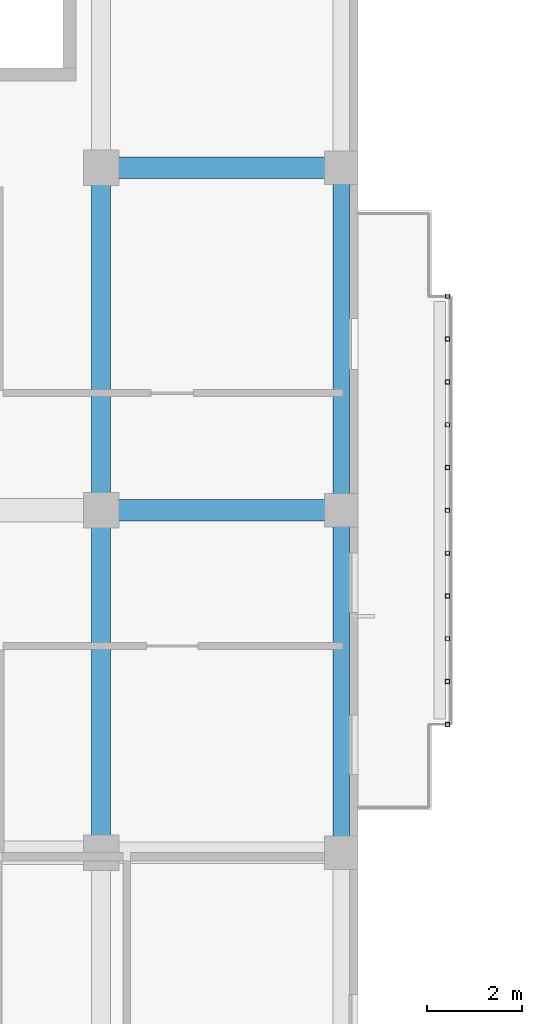
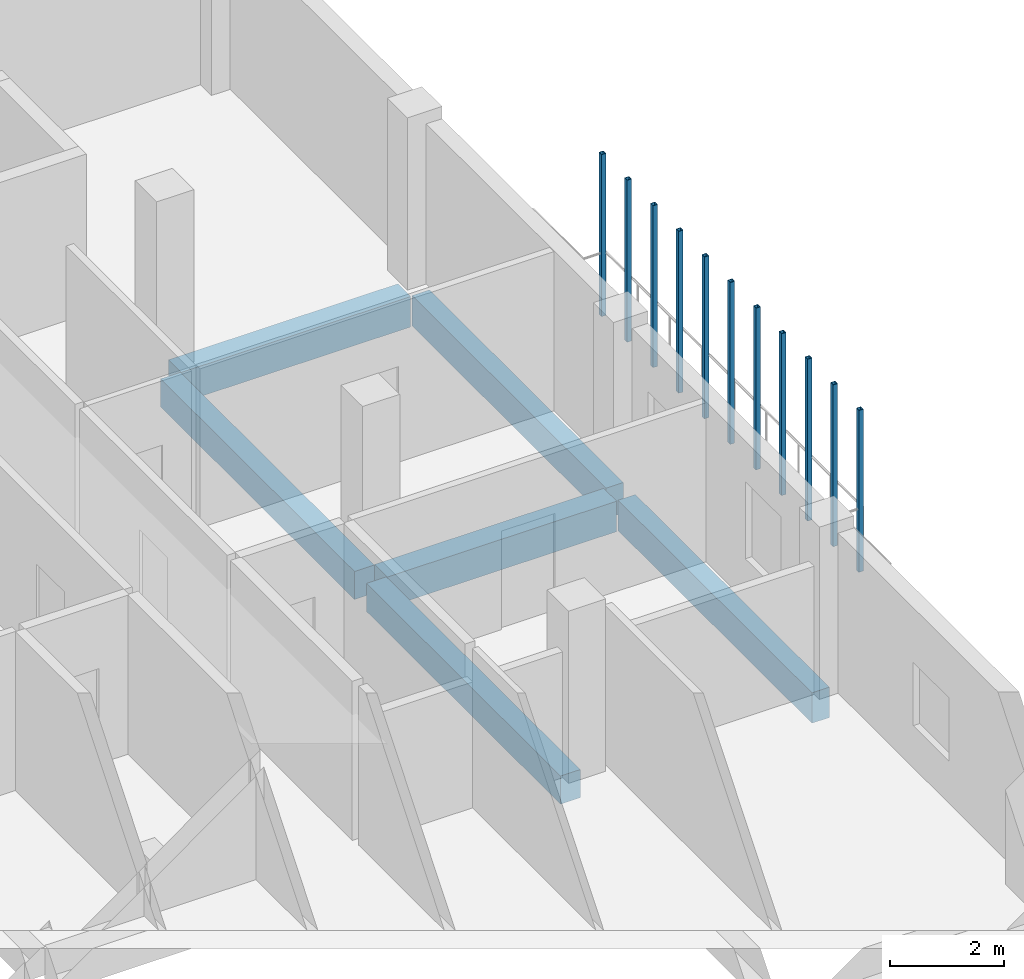
# One storey, part 18 of 73: 11 members, 6 beams.
"""IFC4 building model written with IfcOpenShell, lengths in metres."""

from ifc_helpers import new_model, si_unit, derived_unit, direction, frame, origin, origin_2d, place, context, subcontext, project, spatial, rectangle, hollow_rectangle, extrude, material, material_profile, profile_set, type_object, element, save


model = new_model("IFC4")

# Units and contexts
model_context = context("Model", 3, precision=1e-05, world=origin(), true_north=direction((0.0, 1.0)))
body_context = subcontext(model_context, "Body", "Model", "MODEL_VIEW")
ifc_project = project(units=[si_unit("LENGTHUNIT", "METRE"), si_unit("AREAUNIT", "SQUARE_METRE"), si_unit("VOLUMEUNIT", "CUBIC_METRE"), si_unit("PLANEANGLEUNIT", "RADIAN"), si_unit("MASSUNIT", "GRAM", prefix="KILO"), derived_unit("THERMALTRANSMITTANCEUNIT", [(si_unit("MASSUNIT", "GRAM", prefix="KILO"), 1), (si_unit("TIMEUNIT", "SECOND"), -3), (si_unit("THERMODYNAMICTEMPERATUREUNIT", "KELVIN"), -1)])], contexts=[model_context])

# Site, building, storey
site_placement = place(None, origin())
site = spatial("IfcSite", under=ifc_project, at=site_placement, CompositionType="ELEMENT")
building_placement = place(site_placement, origin())
building = spatial("IfcBuilding", under=site, at=building_placement, Name="Ochrekiln Boulevard Commons", CompositionType="ELEMENT")
storey_placement = place(building_placement, frame((0.0, 0.0, 4.89990234375)))
storey = spatial("IfcBuildingStorey", under=building, at=storey_placement, Name="L01", CompositionType="ELEMENT", Elevation=4.89990234375)

# Beams
ifc_material_1 = material(Name="Concrete C35/45", Category="concrete")
ifc_material_profile_1 = material_profile(ifc_material_1, rectangle(XDim=0.39990234375, YDim=0.60009765625, at=origin_2d()), Name="RC-BM-400x600")
ifc_profile_set_1 = profile_set([ifc_material_profile_1], Name="Concrete C35/45")
beam_type_1 = type_object("IfcBeamType", Name="BM-RC-400x600", PredefinedType="BEAM", material=ifc_profile_set_1)
beam_1_placement = place(storey_placement, frame((16.199951171875, 97.409912109375, -0.559814453125), z_axis=(0.0, 1.0, 0.0), x_axis=(-1.0, 0.0, 0.0)))
element("IfcBeam", 1, at=beam_1_placement, inside=storey, type_object=beam_type_1, Name="Block A L01 Beam B-4060 Y41", PredefinedType="BEAM", context=body_context, shape_type="SweptSolid", body=[
    extrude(rectangle(XDim=0.39990234375, YDim=0.60009765625, at=origin_2d()), origin(), (0.0, 0.0, 1.0), 6.780029296875),
])
beam_2_placement = place(storey_placement, frame((16.199951171875, 104.610107421875, -0.559814453125), z_axis=(0.0, 1.0, 0.0), x_axis=(-1.0, 0.0, 0.0)))
element("IfcBeam", 2, at=beam_2_placement, inside=storey, type_object=beam_type_1, Name="Block A L01 Beam B-4060 Y42", PredefinedType="BEAM", context=body_context, shape_type="SweptSolid", body=[
    extrude(rectangle(XDim=0.39990234375, YDim=0.60009765625, at=origin_2d()), origin(), (0.0, 0.0, 1.0), 6.77978515625),
])
ifc_material_profile_2 = material_profile(ifc_material_1, rectangle(XDim=0.449951171875, YDim=0.64990234375, at=origin_2d()), Name="RC-BM-450x650")
ifc_profile_set_2 = profile_set([ifc_material_profile_2], Name="Concrete C35/45")
beam_type_2 = type_object("IfcBeamType", Name="BM-RC-450x650", PredefinedType="BEAM", material=ifc_profile_set_2)
for number, where, z_axis, x_axis, name in (
    (3, (16.409912109375, 104.39990234375, -0.5849609375), (1.0, 0.0, 0.0), (0.0, 1.0, 0.0), "Block A L01 Beam B-4565 X17"),
    (4, (16.409912109375, 111.60009765625, -0.5849609375), (1.0, 0.0, 0.0), (0.0, 1.0, 0.0), "Block A L01 Beam B-4565 X19"),
):
    element("IfcBeam", number, at=place(storey_placement, frame(where, z_axis=z_axis, x_axis=x_axis)), inside=storey, type_object=beam_type_2, Name=name, PredefinedType="BEAM", context=body_context, shape_type="SweptSolid", body=[
        extrude(rectangle(XDim=0.449951171875, YDim=0.64990234375, at=origin_2d()), origin(), (0.0, 0.0, 1.0), 4.630126953125),
    ])

# Members
ifc_material_2 = material(Name="Steel A500 Grade C", Category="steel")
ifc_material_profile_3 = material_profile(ifc_material_2, hollow_rectangle(XDim=0.090087890625, YDim=0.090087890625, WallThickness=0.00634765625, at=origin_2d()), Name="HSS90X90X6.4")
ifc_profile_set_3 = profile_set([ifc_material_profile_3], Name="Steel A500 Grade C")
member_type = type_object("IfcMemberType", Name="MEM-PST-HSS90", PredefinedType="POST", material=ifc_profile_set_3)
for number, where, z_axis, x_axis, name in (
    (5, (23.47998046875, 99.89990234375, 0.0), (0.0, 0.0, 1.0), (1.0, 0.0, 0.0), "Block A L01 Slim Vertical Balcony Post (34)"),
    (6, (23.47998046875, 100.800048828125, 0.0), (0.0, 0.0, 1.0), (1.0, 0.0, 0.0), "Block A L01 Slim Vertical Balcony Post (35)"),
    (7, (23.47998046875, 101.699951171875, 0.0), (0.0, 0.0, 1.0), (1.0, 0.0, 0.0), "Block A L01 Slim Vertical Balcony Post (36)"),
    (8, (23.47998046875, 102.60009765625, 0.0), (0.0, 0.0, 1.0), (1.0, 0.0, 0.0), "Block A L01 Slim Vertical Balcony Post (37)"),
    (9, (23.47998046875, 103.5, 0.0), (0.0, 0.0, 1.0), (1.0, 0.0, 0.0), "Block A L01 Slim Vertical Balcony Post (38)"),
    (10, (23.47998046875, 104.39990234375, 0.0), (0.0, 0.0, 1.0), (1.0, 0.0, 0.0), "Block A L01 Slim Vertical Balcony Post (39)"),
    (11, (23.47998046875, 105.300048828125, 0.0), (0.0, 0.0, 1.0), (1.0, 0.0, 0.0), "Block A L01 Slim Vertical Balcony Post (40)"),
    (12, (23.47998046875, 106.199951171875, 0.0), (0.0, 0.0, 1.0), (1.0, 0.0, 0.0), "Block A L01 Slim Vertical Balcony Post (41)"),
    (13, (23.47998046875, 107.10009765625, 0.0), (0.0, 0.0, 1.0), (1.0, 0.0, 0.0), "Block A L01 Slim Vertical Balcony Post (42)"),
    (14, (23.47998046875, 108.0, 0.0), (0.0, 0.0, 1.0), (1.0, 0.0, 0.0), "Block A L01 Slim Vertical Balcony Post (43)"),
    (15, (23.47998046875, 108.89990234375, 0.0), (0.0, 0.0, 1.0), (1.0, 0.0, 0.0), "Block A L01 Slim Vertical Balcony Post (44)"),
):
    element("IfcMember", number, at=place(storey_placement, frame(where, z_axis=z_axis, x_axis=x_axis)), inside=storey, type_object=member_type, Name=name, PredefinedType="POST", context=body_context, shape_type="SweptSolid", body=[
        extrude(hollow_rectangle(XDim=0.090087890625, YDim=0.090087890625, WallThickness=0.00634765625, at=origin_2d()), origin(), (0.0, 0.0, 1.0), 3.455078125),
    ])

# Beams
ifc_material_3 = material(Name="Concrete C40/50", Category="concrete")
ifc_material_profile_4 = material_profile(ifc_material_3, rectangle(XDim=0.35009765625, YDim=0.64990234375, at=origin_2d()), Name="RC-SPN-350x650")
ifc_profile_set_4 = profile_set([ifc_material_profile_4], Name="Concrete C40/50")
beam_type_3 = type_object("IfcBeamType", Name="SPN-RC-350x650", PredefinedType="SPANDREL", material=ifc_profile_set_4)
beam_3_placement = place(storey_placement, frame((21.25, 97.409912109375, -0.5849609375), z_axis=(0.0, 1.0, 0.0), x_axis=(-1.0, 0.0, 0.0)))
element("IfcBeam", 16, at=beam_3_placement, inside=storey, type_object=beam_type_3, Name="Block A L01 Beam SP-3565 Y48", PredefinedType="SPANDREL", context=body_context, shape_type="SweptSolid", body=[
    extrude(rectangle(XDim=0.35009765625, YDim=0.64990234375, at=origin_2d()), origin(), (0.0, 0.0, 1.0), 6.780029296875),
])
beam_4_placement = place(storey_placement, frame((21.25, 104.610107421875, -0.5849609375), z_axis=(0.0, 1.0, 0.0), x_axis=(-1.0, 0.0, 0.0)))
element("IfcBeam", 17, at=beam_4_placement, inside=storey, type_object=beam_type_3, Name="Block A L01 Beam SP-3565 Y49", PredefinedType="SPANDREL", context=body_context, shape_type="SweptSolid", body=[
    extrude(rectangle(XDim=0.35009765625, YDim=0.64990234375, at=origin_2d()), origin(), (0.0, 0.0, 1.0), 6.77978515625),
])

save(model, "model.ifc")
